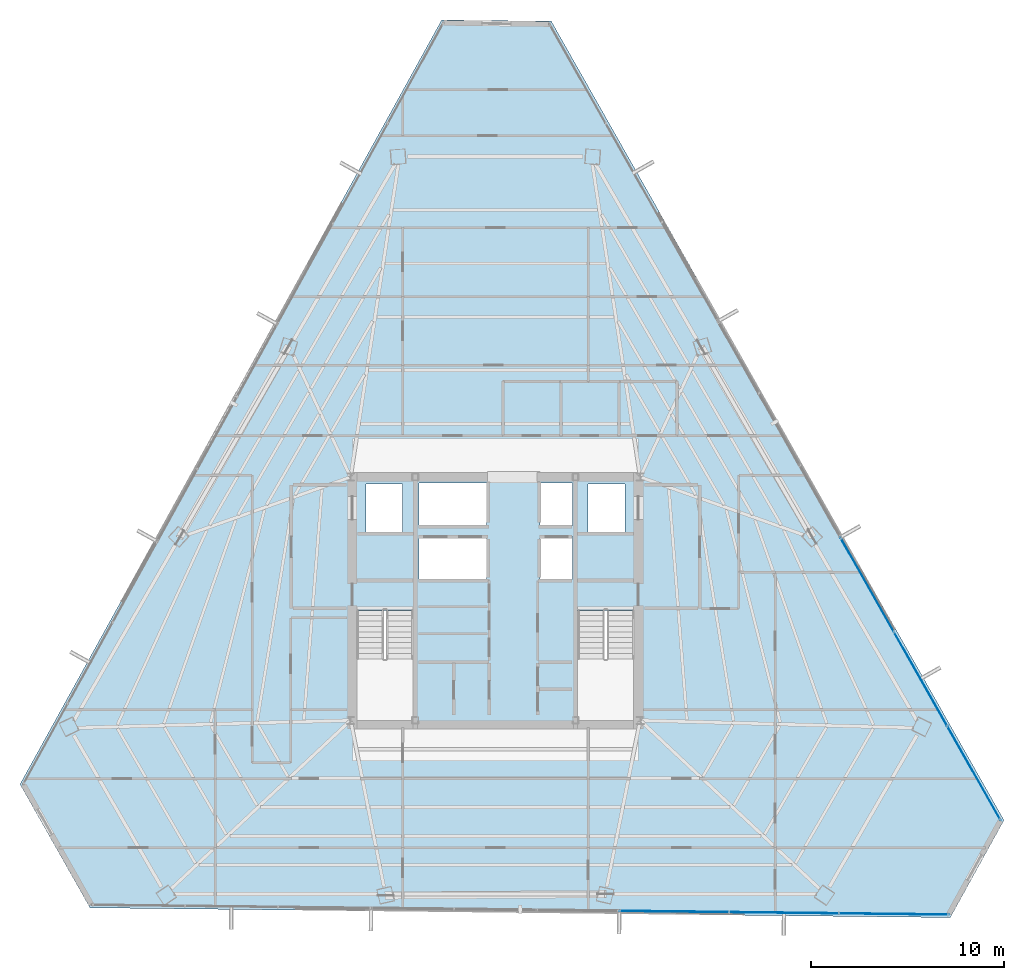
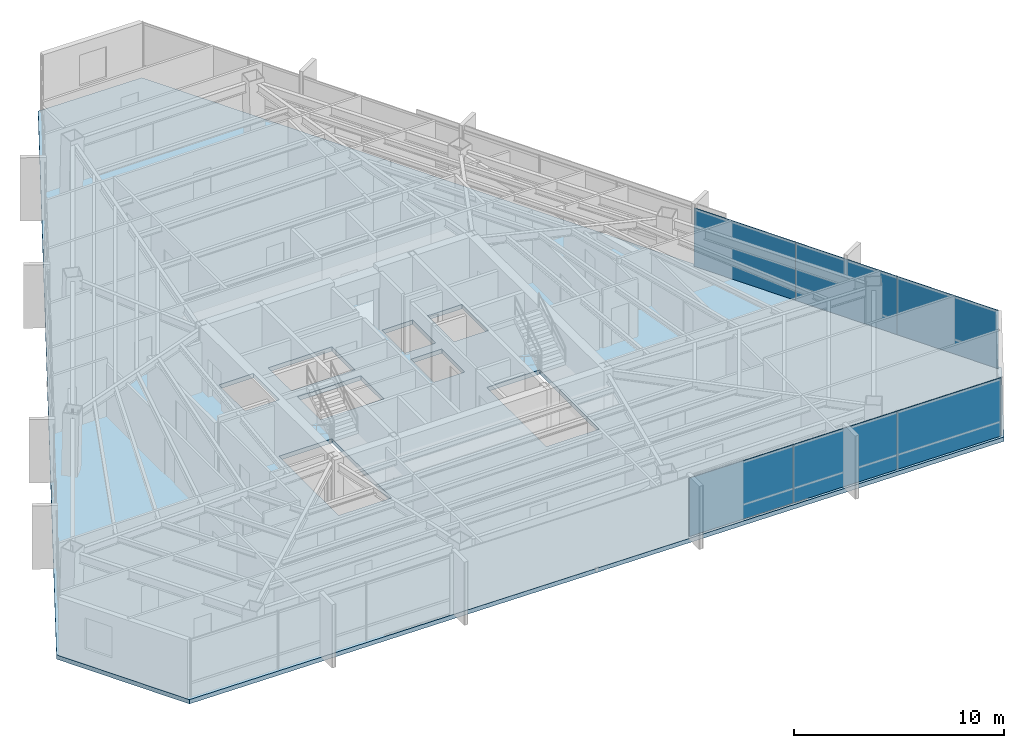
# One storey, part 34 of 42: 6 plates, 1 slab, 2 elements without a shape of their own.
"""IFC4 building model written with IfcOpenShell, lengths in metres."""

from ifc_helpers import new_model, si_unit, direction, frame, origin, origin_2d, place, context, subcontext, project, spatial, polyline, rectangle, outline, extrude, source, transform, mapped, material, layer, layer_set, type_object, type_shapes, element, aggregate, save


model = new_model("IFC4")

# Units and contexts
model_context = context("Model", 3, precision=1e-05, world=origin(), true_north=direction((0.0, 1.0)))
body_context = subcontext(model_context, "Body", "Model", "MODEL_VIEW")
ifc_project = project(units=[si_unit("LENGTHUNIT", "METRE"), si_unit("AREAUNIT", "SQUARE_METRE"), si_unit("VOLUMEUNIT", "CUBIC_METRE"), si_unit("PLANEANGLEUNIT", "RADIAN"), si_unit("MASSUNIT", "GRAM", prefix="KILO")], contexts=[model_context])

# Site, building, storey
site_placement = place(None, origin())
site = spatial("IfcSite", under=ifc_project, at=site_placement, CompositionType="ELEMENT")
building_placement = place(site_placement, origin())
building = spatial("IfcBuilding", under=site, at=building_placement, Name="Caelisora Broadcast Tower", CompositionType="ELEMENT")
storey_placement = place(building_placement, frame((0.0, 0.0, 205.949951171875)))
storey = spatial("IfcBuildingStorey", under=building, at=storey_placement, Name="L54", CompositionType="ELEMENT", Elevation=205.949951171875)

# Slab
ifc_material_1 = material(Name="Concrete 40 MPa (AS 3600 N40)", Category="concrete")
ifc_layer_1 = layer(ifc_material_1, 0.25, Name="Concrete 40 MPa (AS 3600 N40)")
ifc_layer_set_1 = layer_set([ifc_layer_1], Name="Concrete 40 MPa (AS 3600 N40)")
slab_type = type_object("IfcSlabType", Name="SL04", PredefinedType="FLOOR", material=ifc_layer_set_1)
slab_placement = place(storey_placement, frame((0.0, 0.0, -0.25)))
element("IfcSlab", 1, at=slab_placement, inside=storey, type_object=slab_type, Name="L54 suspended floor SL04", PredefinedType="FLOOR", context=body_context, shape_type="SweptSolid", body=[
    extrude(outline(polyline([(40.89404296875, 53.60595703125), (35.218017578125, 53.669921875), (13.381103515625, 14.091064453125), (17.006103515625, 7.694091796875), (61.556884765625, 7.18701171875), (64.339111328125, 12.22900390625), (40.89404296875, 53.60595703125)]), holes=[polyline([(30.820068359375, 17.39990234375), (33.739990234375, 17.39990234375), (33.739990234375, 23.080078125), (30.820068359375, 23.080078125), (30.820068359375, 17.39990234375)]), polyline([(42.260009765625, 17.39990234375), (45.179931640625, 17.39990234375), (45.179931640625, 23.080078125), (42.260009765625, 23.080078125), (42.260009765625, 17.39990234375)]), polyline([(42.800048828125, 27.14990234375), (44.699951171875, 27.14990234375), (44.699951171875, 29.64990234375), (42.800048828125, 29.64990234375), (42.800048828125, 27.14990234375)]), polyline([(40.300048828125, 24.719970703125), (42.0, 24.719970703125), (42.0, 26.919921875), (40.300048828125, 26.919921875), (40.300048828125, 24.719970703125)]), polyline([(40.300048828125, 27.5), (42.0, 27.5), (42.0, 29.699951171875), (40.300048828125, 29.699951171875), (40.300048828125, 27.5)]), polyline([(34.050048828125, 24.719970703125), (37.550048828125, 24.719970703125), (37.550048828125, 26.919921875), (34.050048828125, 26.919921875), (34.050048828125, 24.719970703125)]), polyline([(34.050048828125, 27.5), (37.550048828125, 27.5), (37.550048828125, 29.699951171875), (34.050048828125, 29.699951171875), (34.050048828125, 27.5)]), polyline([(31.300048828125, 27.14990234375), (33.199951171875, 27.14990234375), (33.199951171875, 29.64990234375), (31.300048828125, 29.64990234375), (31.300048828125, 27.14990234375)])]), origin(), (0.0, 0.0, 1.0), 0.25),
])

# Curtain wall, plates
ifc_material_2 = material(Name="Unitised Aluminium and Low-E Glass Curtain Wall", Category="glass")
curtain_wall_type = type_object("IfcCurtainWallType", Name="CW-Z4", PredefinedType="NOTDEFINED", material=ifc_material_2)
curtain_wall_1_placement = place(storey_placement, origin())
curtain_wall_1 = element("IfcCurtainWall", 2, at=curtain_wall_1_placement, inside=storey, type_object=curtain_wall_type, Name="L54 curtain wall CW-Z4", PredefinedType="NOTDEFINED")
ifc_material_3 = material(Name="Double Glazed Low-E Argon IGU", Category="glass")
ifc_layer_2 = layer(ifc_material_3, 0.030029296875, Name="Double Glazed Low-E Argon IGU")
ifc_layer_set_2 = layer_set([ifc_layer_2], Name="Double Glazed Low-E Argon IGU")
plate_type = type_object("IfcPlateType", Name="CWP-05", PredefinedType="CURTAIN_PANEL", material=ifc_layer_set_2)
shared_shape_1 = source(origin(), body_context, "Body", "SweptSolid", [
    extrude(rectangle(XDim=5.61181640625, YDim=0.030029296875, at=origin_2d()), origin(), (0.0, 0.0, 1.0), 3.39990234375),
])
plate_1_placement = place(storey_placement, frame((57.25048828125, 24.4345703125, 0.0), z_axis=(0.0, 0.0, 1.0), x_axis=(0.493031062956, -0.87001170737, 0.0)))
plate_1 = element("IfcPlate", 3, at=plate_1_placement, type_object=plate_type, Name="L54-CW-B03 glazed panel #1", PredefinedType="CURTAIN_PANEL", context=body_context, shape_type="MappedRepresentation", body=[
    mapped(shared_shape_1, transform((0.0, 0.0, 0.0), scale=1.0)),
])
plate_2_placement = place(storey_placement, frame((60.01708984375, 19.552001953125, 0.0), z_axis=(0.0, 0.0, 1.0), x_axis=(0.493031062956, -0.87001170737, 0.0)))
plate_2 = element("IfcPlate", 4, at=plate_2_placement, type_object=plate_type, Name="L54-CW-B03 glazed panel #2", PredefinedType="CURTAIN_PANEL", context=body_context, shape_type="MappedRepresentation", body=[
    mapped(shared_shape_1, transform((0.0, 0.0, 0.0), scale=1.0)),
])
plate_3_placement = place(storey_placement, frame((62.78369140625, 14.669189453125, 0.0), z_axis=(0.0, 0.0, 1.0), x_axis=(0.493031062956, -0.87001170737, 0.0)))
plate_3 = element("IfcPlate", 5, at=plate_3_placement, type_object=plate_type, Name="L54-CW-B03 glazed panel #3", PredefinedType="CURTAIN_PANEL", context=body_context, shape_type="MappedRepresentation", body=[
    mapped(shared_shape_1, transform((0.0, 0.0, 0.0), scale=1.0)),
])
aggregate(curtain_wall_1, [plate_1, plate_2, plate_3])

curtain_wall_2_placement = place(storey_placement, origin())
curtain_wall_2 = element("IfcCurtainWall", 6, at=curtain_wall_2_placement, inside=storey, type_object=curtain_wall_type, Name="L54 curtain wall CW-Z4", PredefinedType="NOTDEFINED")
shared_shape_2 = source(origin(), body_context, "Body", "SweptSolid", [
    extrude(rectangle(XDim=5.681884765625, YDim=0.030029296875, at=origin_2d()), origin(), (0.0, 0.0, 1.0), 3.39990234375),
])
type_shapes(plate_type, [shared_shape_1, shared_shape_2])
plate_4_placement = place(storey_placement, frame((58.628173828125, 7.370361328125, 0.0), z_axis=(0.0, 0.0, 1.0), x_axis=(-0.99993565026, 0.011344396795, 0.0)))
plate_4 = element("IfcPlate", 7, at=plate_4_placement, type_object=plate_type, Name="L54-CW-B05 glazed panel #1", PredefinedType="CURTAIN_PANEL", context=body_context, shape_type="MappedRepresentation", body=[
    mapped(shared_shape_2, transform((0.0, 0.0, 0.0), scale=1.0)),
])
plate_5_placement = place(storey_placement, frame((52.946533203125, 7.43505859375, 0.0), z_axis=(0.0, 0.0, 1.0), x_axis=(-0.99993565026, 0.011344396795, 0.0)))
plate_5 = element("IfcPlate", 8, at=plate_5_placement, type_object=plate_type, Name="L54-CW-B05 glazed panel #2", PredefinedType="CURTAIN_PANEL", context=body_context, shape_type="MappedRepresentation", body=[
    mapped(shared_shape_2, transform((0.0, 0.0, 0.0), scale=1.0)),
])
plate_6_placement = place(storey_placement, frame((47.264892578125, 7.49951171875, 0.0), z_axis=(0.0, 0.0, 1.0), x_axis=(-0.99993565026, 0.011344396795, 0.0)))
plate_6 = element("IfcPlate", 9, at=plate_6_placement, type_object=plate_type, Name="L54-CW-B05 glazed panel #3", PredefinedType="CURTAIN_PANEL", context=body_context, shape_type="MappedRepresentation", body=[
    mapped(shared_shape_2, transform((0.0, 0.0, 0.0), scale=1.0)),
])
aggregate(curtain_wall_2, [plate_4, plate_5, plate_6])

save(model, "model.ifc")
